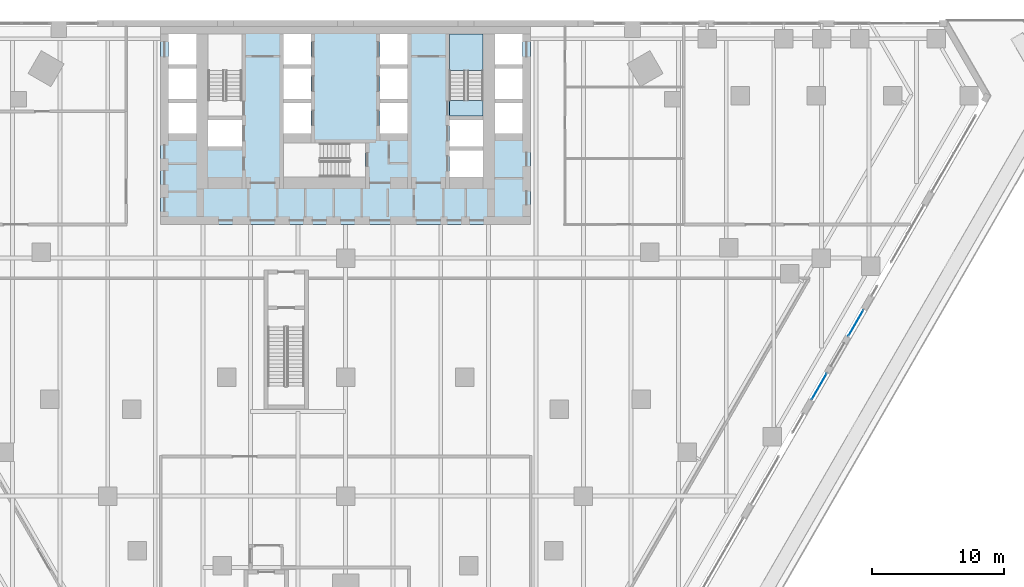
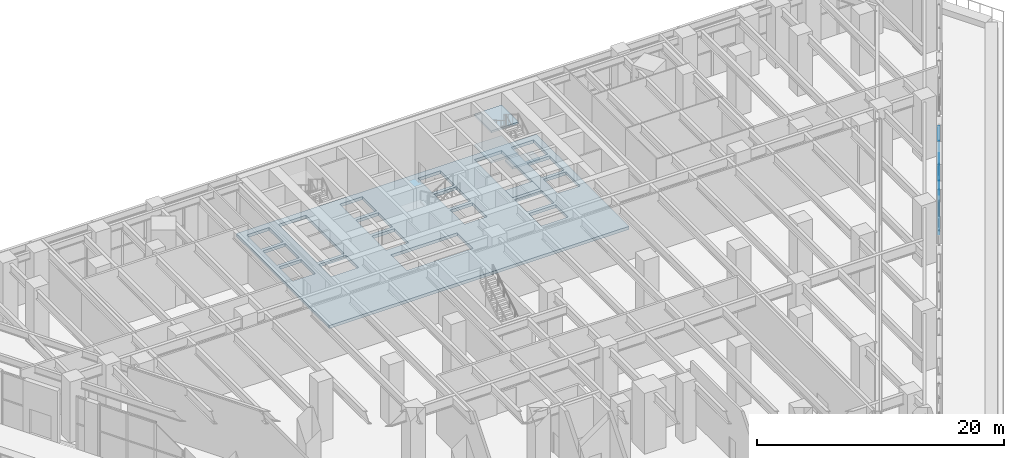
# One storey, part 26 of 40: 5 slabs, 4 plates, 3 elements without a shape of their own.
"""IFC4 building model written with IfcOpenShell, lengths in metres."""

from ifc_helpers import new_model, si_unit, direction, frame, origin, origin_2d, place, context, subcontext, project, spatial, polyline, rectangle, outline, extrude, material, layer, layer_set, type_object, element, aggregate, save


model = new_model("IFC4")

# Units and contexts
model_context = context("Model", 3, precision=1e-05, world=origin(), true_north=direction((0.0, 1.0)))
body_context = subcontext(model_context, "Body", "Model", "MODEL_VIEW")
ifc_project = project(units=[si_unit("LENGTHUNIT", "METRE"), si_unit("AREAUNIT", "SQUARE_METRE"), si_unit("VOLUMEUNIT", "CUBIC_METRE"), si_unit("PLANEANGLEUNIT", "RADIAN"), si_unit("MASSUNIT", "GRAM", prefix="KILO")], contexts=[model_context])

# Site, building, storey
site_placement = place(None, origin())
site = spatial("IfcSite", under=ifc_project, at=site_placement, CompositionType="ELEMENT")
building_placement = place(site_placement, origin())
building = spatial("IfcBuilding", under=site, at=building_placement, Name="Aloe Facet Convention Tower", CompositionType="ELEMENT")
storey_placement = place(building_placement, frame((0.0, 0.0, 13.5)))
storey = spatial("IfcBuildingStorey", under=building, at=storey_placement, Name="L02", CompositionType="ELEMENT", Elevation=13.5)

# Slabs
ifc_material_1 = material(Name="Concrete C80/95", Category="concrete")
ifc_layer_1 = layer(ifc_material_1, 0.300048828125)
ifc_layer_set_1 = layer_set([ifc_layer_1], Name="CR-S-FLOOR300-C8095")
slab_type_1 = type_object("IfcSlabType", Name="CR-S-FLOOR300-C8095", PredefinedType="FLOOR", material=ifc_layer_set_1)
slab_1_placement = place(storey_placement, frame((0.0, 0.0, -0.300048828125)))
element("IfcSlab", 1, at=slab_1_placement, inside=storey, type_object=slab_type_1, Name="Stair landing floor L02", PredefinedType="FLOOR", context=body_context, shape_type="SweptSolid", body=[
    extrude(outline(polyline([(90.39990234375, 127.75), (90.39990234375, 128.951171875), (87.85009765625, 128.951171875), (87.85009765625, 127.75), (90.39990234375, 127.75)])), origin(), (0.0, 0.0, 1.0), 0.300048828125),
])
slab_2_placement = place(storey_placement, frame((0.0, 0.0, -0.300048828125)))
element("IfcSlab", 2, at=slab_2_placement, inside=storey, type_object=slab_type_1, Name="Core floor L02", PredefinedType="FLOOR", context=body_context, shape_type="SweptSolid", body=[
    extrude(outline(polyline([(69.300048828125, 134.550048828125), (71.85009765625, 134.550048828125), (72.75, 134.550048828125), (74.699951171875, 134.550048828125), (75.60009765625, 134.550048828125), (77.10009765625, 134.550048828125), (78.0, 134.550048828125), (82.0, 134.550048828125), (82.89990234375, 134.550048828125), (84.39990234375, 134.550048828125), (85.300048828125, 134.550048828125), (87.25, 134.550048828125), (88.14990234375, 134.550048828125), (90.699951171875, 134.550048828125), (91.0, 134.550048828125), (94.0, 134.550048828125), (94.0, 131.949951171875), (94.0, 131.050048828125), (94.0, 129.35009765625), (94.0, 128.449951171875), (94.0, 126.449951171875), (94.0, 125.85009765625), (94.0, 123.57373046875), (94.0, 122.523681640625), (94.0, 119.550048828125), (91.300048828125, 119.550048828125), (90.699951171875, 119.550048828125), (89.60009765625, 119.550048828125), (88.550048828125, 119.550048828125), (87.89990234375, 119.550048828125), (86.85009765625, 119.550048828125), (85.699951171875, 119.550048828125), (84.64990234375, 119.550048828125), (83.699951171875, 119.550048828125), (82.64990234375, 119.550048828125), (81.75, 119.550048828125), (80.699951171875, 119.550048828125), (79.61669921875, 119.550048828125), (78.566650390625, 119.550048828125), (77.4833984375, 119.550048828125), (76.433349609375, 119.550048828125), (75.35009765625, 119.550048828125), (74.300048828125, 119.550048828125), (73.14990234375, 119.550048828125), (72.10009765625, 119.550048828125), (69.300048828125, 119.550048828125), (68.699951171875, 119.550048828125), (66.0, 119.550048828125), (66.0, 121.5), (66.0, 122.550048828125), (66.0, 123.639404296875), (66.0, 124.689453125), (66.0, 125.85009765625), (66.0, 126.449951171875), (66.0, 128.449951171875), (66.0, 129.35009765625), (66.0, 131.050048828125), (66.0, 131.949951171875), (66.0, 134.550048828125), (69.0, 134.550048828125), (69.300048828125, 134.550048828125)]), holes=[polyline([(75.300048828125, 123.14990234375), (80.298828125, 123.14990234375), (81.5, 123.14990234375), (81.5, 125.699951171875), (80.298828125, 125.699951171875), (75.300048828125, 125.699951171875), (75.300048828125, 123.14990234375)]), polyline([(69.60009765625, 125.449951171875), (72.14990234375, 125.449951171875), (72.14990234375, 127.449951171875), (69.60009765625, 127.449951171875), (69.60009765625, 125.449951171875)]), polyline([(66.60009765625, 126.449951171875), (68.699951171875, 126.449951171875), (68.699951171875, 128.75), (66.60009765625, 128.75), (66.60009765625, 126.449951171875)]), polyline([(75.300048828125, 126.449951171875), (77.39990234375, 126.449951171875), (77.39990234375, 128.75), (75.300048828125, 128.75), (75.300048828125, 126.449951171875)]), polyline([(66.60009765625, 129.050048828125), (68.699951171875, 129.050048828125), (68.699951171875, 131.35009765625), (66.60009765625, 131.35009765625), (66.60009765625, 129.050048828125)]), polyline([(75.300048828125, 129.050048828125), (77.39990234375, 129.050048828125), (77.39990234375, 131.35009765625), (75.300048828125, 131.35009765625), (75.300048828125, 129.050048828125)]), polyline([(69.60009765625, 133.949951171875), (69.60009765625, 128.951171875), (69.60009765625, 127.75), (72.14990234375, 127.75), (72.14990234375, 128.951171875), (72.14990234375, 133.949951171875), (69.60009765625, 133.949951171875)]), polyline([(66.60009765625, 133.949951171875), (66.60009765625, 131.64990234375), (68.699951171875, 131.64990234375), (68.699951171875, 133.949951171875), (66.60009765625, 133.949951171875)]), polyline([(75.300048828125, 133.949951171875), (75.300048828125, 131.64990234375), (77.39990234375, 131.64990234375), (77.39990234375, 133.949951171875), (75.300048828125, 133.949951171875)]), polyline([(87.85009765625, 123.14990234375), (90.39990234375, 123.14990234375), (90.39990234375, 125.14990234375), (87.85009765625, 125.14990234375), (87.85009765625, 123.14990234375)]), polyline([(87.85009765625, 125.449951171875), (90.39990234375, 125.449951171875), (90.39990234375, 127.449951171875), (87.85009765625, 127.449951171875), (87.85009765625, 125.449951171875)]), polyline([(82.60009765625, 126.449951171875), (84.699951171875, 126.449951171875), (84.699951171875, 128.75), (82.60009765625, 128.75), (82.60009765625, 126.449951171875)]), polyline([(91.300048828125, 126.449951171875), (93.39990234375, 126.449951171875), (93.39990234375, 128.75), (91.300048828125, 128.75), (91.300048828125, 126.449951171875)]), polyline([(82.60009765625, 129.050048828125), (84.699951171875, 129.050048828125), (84.699951171875, 131.35009765625), (82.60009765625, 131.35009765625), (82.60009765625, 129.050048828125)]), polyline([(91.300048828125, 129.050048828125), (93.39990234375, 129.050048828125), (93.39990234375, 131.35009765625), (91.300048828125, 131.35009765625), (91.300048828125, 129.050048828125)]), polyline([(87.85009765625, 133.949951171875), (87.85009765625, 128.951171875), (87.85009765625, 127.75), (90.39990234375, 127.75), (90.39990234375, 128.951171875), (90.39990234375, 133.949951171875), (87.85009765625, 133.949951171875)]), polyline([(82.60009765625, 133.949951171875), (82.60009765625, 131.64990234375), (84.699951171875, 131.64990234375), (84.699951171875, 133.949951171875), (82.60009765625, 133.949951171875)]), polyline([(91.300048828125, 133.949951171875), (91.300048828125, 131.64990234375), (93.39990234375, 131.64990234375), (93.39990234375, 133.949951171875), (91.300048828125, 133.949951171875)])]), origin(), (0.0, 0.0, 1.0), 0.300048828125),
])

# Stair, slabs
ifc_material_2 = material(Name="Concrete C50/60", Category="concrete")
stair_type = type_object("IfcStairType", Name="CR-ST-36R", PredefinedType="HALF_TURN_STAIR", material=ifc_material_2)
stair_placement = place(storey_placement, origin())
stair = element("IfcStair", 3, at=stair_placement, inside=storey, type_object=stair_type, Name="L02 Protected exit stair ST2", PredefinedType="HALF_TURN_STAIR")
ifc_material_3 = material(Name="Concrete C50/60", Category="concrete")
ifc_layer_2 = layer(ifc_material_3, 0.199951171875)
ifc_layer_set_2 = layer_set([ifc_layer_2], Name="CR-SL-LANDING")
slab_type_2 = type_object("IfcSlabType", Name="CR-SL-LANDING", PredefinedType="LANDING", material=ifc_layer_set_2)
slab_3_placement = place(storey_placement, frame((0.0, 0.0, 1.300048828125)))
slab_3 = element("IfcSlab", 4, at=slab_3_placement, type_object=slab_type_2, Name="ST2 landing 1", PredefinedType="LANDING", context=body_context, shape_type="SweptSolid", body=[
    extrude(outline(polyline([(90.39990234375, 131.18994140625), (90.39990234375, 133.949951171875), (87.85009765625, 133.949951171875), (87.85009765625, 131.18994140625), (90.39990234375, 131.18994140625)])), origin(), (0.0, 0.0, 1.0), 0.199951171875),
])
slab_4_placement = place(storey_placement, frame((0.0, 0.0, 2.800048828125)))
slab_4 = element("IfcSlab", 5, at=slab_4_placement, type_object=slab_type_2, Name="ST2 landing 2", PredefinedType="LANDING", context=body_context, shape_type="SweptSolid", body=[
    extrude(outline(polyline([(90.39990234375, 127.75), (90.39990234375, 128.949951171875), (87.85009765625, 128.949951171875), (87.85009765625, 127.75), (90.39990234375, 127.75)])), origin(), (0.0, 0.0, 1.0), 0.199951171875),
])
slab_5_placement = place(storey_placement, frame((0.0, 0.0, 4.300048828125)))
slab_5 = element("IfcSlab", 6, at=slab_5_placement, type_object=slab_type_2, Name="ST2 landing 3", PredefinedType="LANDING", context=body_context, shape_type="SweptSolid", body=[
    extrude(outline(polyline([(90.39990234375, 131.18994140625), (90.39990234375, 133.949951171875), (87.85009765625, 133.949951171875), (87.85009765625, 131.18994140625), (90.39990234375, 131.18994140625)])), origin(), (0.0, 0.0, 1.0), 0.199951171875),
])
aggregate(stair, [slab_3, slab_4, slab_5])

# Curtain wall, plates
ifc_material_4 = material(Name="Aluminium, anodised", Category="aluminium")
curtain_wall_type = type_object("IfcCurtainWallType", Name="EV-CW-HALL", PredefinedType="USERDEFINED", material=ifc_material_4)
curtain_wall_1_placement = place(storey_placement, origin())
curtain_wall_1 = element("IfcCurtainWall", 7, at=curtain_wall_1_placement, inside=storey, type_object=curtain_wall_type, Name="CW-L02-E16A", ObjectType="UNITISED HALL GLAZING", PredefinedType="USERDEFINED")
ifc_material_5 = material(Name="Clear double glazing", Category="glass")
ifc_layer_3 = layer(ifc_material_5, 0.035888671875)
ifc_layer_set_3 = layer_set([ifc_layer_3], Name="EV-PANEL-HALL")
plate_type = type_object("IfcPlateType", Name="EV-PANEL-HALL", PredefinedType="CURTAIN_PANEL", material=ifc_layer_set_3)
plate_1_placement = place(storey_placement, frame((115.83837890625, 107.294189453125, -0.23486328125), z_axis=(0.0, 0.0, 1.0), x_axis=(0.500000000045, 0.866025403758, 0.0)))
plate_1 = element("IfcPlate", 8, at=plate_1_placement, type_object=plate_type, Name="CW-L02-E16A panel 1.1", PredefinedType="CURTAIN_PANEL", context=body_context, shape_type="SweptSolid", body=[
    extrude(rectangle(XDim=2.219482421875, YDim=0.035888671875, at=origin_2d()), origin(), (0.0, 0.0, 1.0), 2.583740234375),
])
plate_2_placement = place(storey_placement, frame((115.83837890625, 107.294189453125, 2.41357421875), z_axis=(0.0, 0.0, 1.0), x_axis=(0.500000000045, 0.866025403758, 0.0)))
plate_2 = element("IfcPlate", 9, at=plate_2_placement, type_object=plate_type, Name="CW-L02-E16A panel 1.2", PredefinedType="CURTAIN_PANEL", context=body_context, shape_type="SweptSolid", body=[
    extrude(rectangle(XDim=2.219482421875, YDim=0.035888671875, at=origin_2d()), origin(), (0.0, 0.0, 1.0), 2.583740234375),
])
aggregate(curtain_wall_1, [plate_1, plate_2])

curtain_wall_2_placement = place(storey_placement, origin())
curtain_wall_2 = element("IfcCurtainWall", 10, at=curtain_wall_2_placement, inside=storey, type_object=curtain_wall_type, Name="CW-L02-E16B", ObjectType="UNITISED HALL GLAZING", PredefinedType="USERDEFINED")
plate_3_placement = place(storey_placement, frame((118.613037109375, 112.10009765625, -0.23486328125), z_axis=(0.0, 0.0, 1.0), x_axis=(0.499999999909, 0.866025403837, 0.0)))
plate_3 = element("IfcPlate", 11, at=plate_3_placement, type_object=plate_type, Name="CW-L02-E16B panel 1.1", PredefinedType="CURTAIN_PANEL", context=body_context, shape_type="SweptSolid", body=[
    extrude(rectangle(XDim=2.219482421875, YDim=0.035888671875, at=origin_2d()), origin(), (0.0, 0.0, 1.0), 2.583740234375),
])
plate_4_placement = place(storey_placement, frame((118.613037109375, 112.10009765625, 2.41357421875), z_axis=(0.0, 0.0, 1.0), x_axis=(0.499999999909, 0.866025403837, 0.0)))
plate_4 = element("IfcPlate", 12, at=plate_4_placement, type_object=plate_type, Name="CW-L02-E16B panel 1.2", PredefinedType="CURTAIN_PANEL", context=body_context, shape_type="SweptSolid", body=[
    extrude(rectangle(XDim=2.219482421875, YDim=0.035888671875, at=origin_2d()), origin(), (0.0, 0.0, 1.0), 2.583740234375),
])
aggregate(curtain_wall_2, [plate_3, plate_4])

save(model, "model.ifc")
